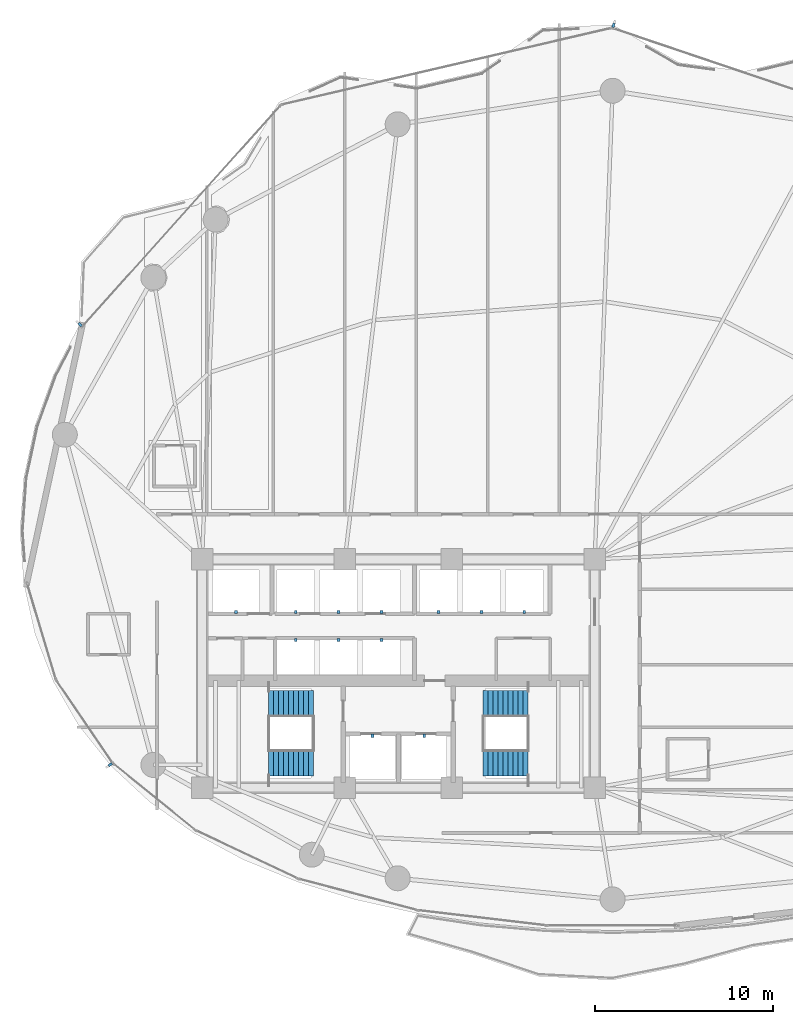
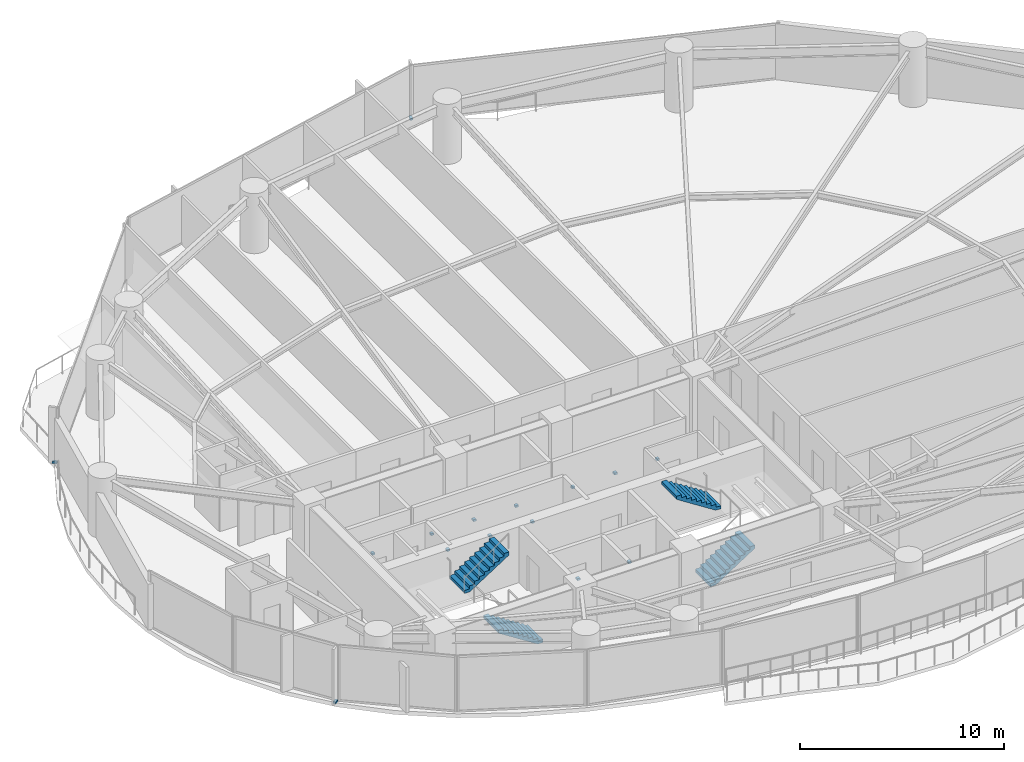
# One storey, part 28 of 31: 15 discrete accessories, 4 stair flights, 2 elements without a shape of their own.
"""IFC4 building model written with IfcOpenShell, lengths in metres."""

import ifcopenshell
import ifcopenshell.guid

model = None  # the IFC model being written
_history = None  # IfcOwnerHistory: only IFC2X3 demands one
_inside = {}  # id of a spatial element -> (the spatial element, [elements in it])
_under = {}  # id of a project, library or spatial element -> (it, [spatial elements below it])
_declared = {}  # id of a project -> (the project, [libraries it declares])
_typed = {}  # id of a type object -> (the type object, [elements of that type])
_made_of = {}  # id of a material, layer set ... -> (it, [elements and type objects made of it])


def new_model(schema):
    """Start an empty IFC model of exactly this schema.

    Asked for "IFC4X3", IfcOpenShell would pick the latest addendum, in which some entities
    have other attributes; the version numbers below select the first issue.
    IFC2X3 requires an IfcOwnerHistory on every rooted entity: one is made here for all.
    """
    global model, _history
    if schema == "IFC4X3":
        model = ifcopenshell.file(schema_version=(4, 3, 0, 0))
    else:
        model = ifcopenshell.file(schema=schema)
    _inside.clear()
    _under.clear()
    _declared.clear()
    _typed.clear()
    _made_of.clear()
    _history = None
    if model.schema == "IFC2X3":
        org = make("IfcOrganization", Name="unknown")
        user = make(
            "IfcPersonAndOrganization",
            ThePerson=make("IfcPerson", FamilyName="unknown"),
            TheOrganization=org,
        )
        app = make(
            "IfcApplication",
            ApplicationDeveloper=org,
            Version="unknown",
            ApplicationFullName="unknown",
            ApplicationIdentifier="unknown",
        )
        _history = make(
            "IfcOwnerHistory",
            OwningUser=user,
            OwningApplication=app,
            ChangeAction="ADDED",
            CreationDate=0,
        )
    return model


def make(cls, **values):
    """One entity of the class cls with the attributes given. An attribute that is None is left unset."""
    return model.create_entity(
        cls, **{name: value for name, value in values.items() if value is not None}
    )


def rooted(cls, **values):
    """An entity with a GlobalId (a new one), such as an element, a storey or a relation."""
    return make(cls, GlobalId=ifcopenshell.guid.new(), OwnerHistory=_history, **values)


def si_unit(unit_type, name, prefix=None):
    """IfcSIUnit, for example si_unit("LENGTHUNIT", "METRE", prefix="MILLI")."""
    return make("IfcSIUnit", UnitType=unit_type, Prefix=prefix, Name=name)


def assignment(units):
    """IfcUnitAssignment: the units of a project."""
    return None if units is None else make("IfcUnitAssignment", Units=units)


def point(xyz):
    """IfcCartesianPoint."""
    return None if xyz is None else make("IfcCartesianPoint", Coordinates=xyz)


def direction(xyz):
    """IfcDirection."""
    return None if xyz is None else make("IfcDirection", DirectionRatios=xyz)


def frame(location, z_axis=None, x_axis=None):
    """IfcAxis2Placement3D, a coordinate frame: its origin and axes. An axis left out is left unset."""
    return make(
        "IfcAxis2Placement3D",
        Location=point(location),
        Axis=direction(z_axis),
        RefDirection=direction(x_axis),
    )


def frame_2d(location, x_axis=None):
    """IfcAxis2Placement2D, a coordinate frame in the plane: its origin and x axis."""
    return make(
        "IfcAxis2Placement2D", Location=point(location), RefDirection=direction(x_axis)
    )


def origin():
    """The frame at (0, 0, 0) with its axes left unset."""
    return frame((0.0, 0.0, 0.0))


def origin_2d():
    """The frame at (0, 0) in the plane with its x axis left unset."""
    return frame_2d((0.0, 0.0))


def place(relative_to, where):
    """IfcLocalPlacement: puts the frame where relative to a parent placement (None: the world)."""
    return make(
        "IfcLocalPlacement", PlacementRelTo=relative_to, RelativePlacement=where
    )


def context(
    kind, dimensions, precision=None, world=None, true_north=None, identifier=None
):
    """IfcGeometricRepresentationContext, for example the 3D "Model" context."""
    return make(
        "IfcGeometricRepresentationContext",
        ContextIdentifier=identifier,
        ContextType=kind,
        CoordinateSpaceDimension=dimensions,
        Precision=precision,
        WorldCoordinateSystem=world,
        TrueNorth=true_north,
    )


def subcontext(parent, identifier, kind, view, scale=None):
    """IfcGeometricRepresentationSubContext, for example "Body" below "Model"."""
    return make(
        "IfcGeometricRepresentationSubContext",
        ContextIdentifier=identifier,
        ContextType=kind,
        ParentContext=parent,
        TargetScale=scale,
        TargetView=view,
    )


def project(units=None, contexts=None):
    """IfcProject with its units and contexts."""
    return rooted(
        "IfcProject",
        Name="project",
        RepresentationContexts=contexts,
        UnitsInContext=assignment(units),
    )


def spatial(cls, under=None, at=None, **own):
    """A site, building, storey or space (cls), placed at a placement, below another one or the project."""
    s = rooted(cls, ObjectPlacement=at, **own)
    if under is not None:
        _under.setdefault(under.id(), (under, []))[1].append(s)
    return s


def polyline(points):
    """IfcPolyline through the points."""
    return make("IfcPolyline", Points=[point(p) for p in points])


def profile(cls, at=None, kind="AREA", **sizes):
    """A parametric profile (cls). Its sizes go by their IFC names, for example OverallWidth=200.0."""
    return make(cls, ProfileType=kind, Position=at, **sizes)


def rectangle(**sizes):
    """IfcRectangleProfileDef."""
    return profile("IfcRectangleProfileDef", **sizes)


def outline(outer, holes=None, kind="AREA"):
    """IfcArbitraryClosedProfileDef: a profile drawn as a closed curve; with holes, ...WithVoids."""
    if holes is None:
        return make("IfcArbitraryClosedProfileDef", ProfileType=kind, OuterCurve=outer)
    return make(
        "IfcArbitraryProfileDefWithVoids",
        ProfileType=kind,
        OuterCurve=outer,
        InnerCurves=holes,
    )


def extrude(swept, where, along, depth):
    """IfcExtrudedAreaSolid: the profile swept, set in the frame where, extruded along a direction by depth."""
    return make(
        "IfcExtrudedAreaSolid",
        SweptArea=swept,
        Position=where,
        ExtrudedDirection=direction(along),
        Depth=depth,
    )


def shape(context_of_items, identifier, shape_type, items):
    """IfcShapeRepresentation: the items that make up one representation, for example the "Body"."""
    return make(
        "IfcShapeRepresentation",
        ContextOfItems=context_of_items,
        RepresentationIdentifier=identifier,
        RepresentationType=shape_type,
        Items=items,
    )


def material(Name=None, Category=None):
    """IfcMaterial."""
    return make("IfcMaterial", Name=Name, Category=Category)


def layer(
    of_material, thickness, ventilated=None, Name=None, Category=None, Priority=None
):
    """IfcMaterialLayer: one layer of a wall or slab, of a material (None: an air gap)."""
    return make(
        "IfcMaterialLayer",
        Material=of_material,
        LayerThickness=thickness,
        IsVentilated=ventilated,
        Name=Name,
        Category=Category,
        Priority=Priority,
    )


def layer_set(layers, Name=None):
    """IfcMaterialLayerSet."""
    return make("IfcMaterialLayerSet", MaterialLayers=layers, LayerSetName=Name)


def made_of(thing, what):
    """Note that an element or type object is made of a material, layer set ...; save() writes the relation."""
    if what is not None:
        _made_of.setdefault(what.id(), (what, []))[1].append(thing)
    return thing


def type_object(cls, material=None, **own):
    """A type object (cls), such as IfcWallType, which elements share."""
    return made_of(rooted(cls, **own), material)


def element(
    cls,
    number,
    at=None,
    inside=None,
    cuts=None,
    type_object=None,
    material=None,
    context=None,
    identifier="Body",
    shape_type=None,
    held_by="IfcProductDefinitionShape",
    body=None,
    shapes=None,
    **own,
):
    """One element of the class cls, such as IfcWall. Its Tag is "e" and its number.

    at: its placement. inside: the storey or other place that contains it. cuts: it is an
    opening in that element (IfcRelVoidsElement). A single representation is given by context,
    identifier, shape_type and body (its items); several are given by shapes. held_by: the class
    of the entity that holds the representations. save() writes the other relations.
    """
    e = rooted(cls, Tag="e%d" % number, ObjectPlacement=at, **own)
    if body is not None:
        shapes = [shape(context, identifier, shape_type, body)]
    if shapes is not None:
        e.Representation = make(held_by, Representations=shapes)
    if inside is not None:
        _inside.setdefault(inside.id(), (inside, []))[1].append(e)
    if cuts is not None:
        rooted(
            "IfcRelVoidsElement", RelatingBuildingElement=cuts, RelatedOpeningElement=e
        )
    if type_object is not None:
        _typed.setdefault(type_object.id(), (type_object, []))[1].append(e)
    return made_of(e, material)


def aggregate(whole, parts):
    """IfcRelAggregates: a whole, such as a stair, and the parts it consists of."""
    return rooted("IfcRelAggregates", RelatingObject=whole, RelatedObjects=parts)


def save(model, path):
    """Write the relations noted so far, then the file.

    IfcRelAggregates (storeys below a building ...), IfcRelContainedInSpatialStructure (elements
    in a storey), IfcRelDefinesByType, IfcRelAssociatesMaterial and IfcRelDeclares: one each for
    every whole, place, type object, material and project.
    """
    for whole, parts in _under.values():
        aggregate(whole, parts)
    for where, things in _inside.values():
        rooted(
            "IfcRelContainedInSpatialStructure",
            RelatedElements=things,
            RelatingStructure=where,
        )
    for kind, things in _typed.values():
        rooted("IfcRelDefinesByType", RelatedObjects=things, RelatingType=kind)
    for what, things in _made_of.values():
        rooted("IfcRelAssociatesMaterial", RelatedObjects=things, RelatingMaterial=what)
    for by, libraries in _declared.values():
        rooted("IfcRelDeclares", RelatingContext=by, RelatedDefinitions=libraries)
    model.write(path)


model = new_model("IFC4")

# Units and contexts
model_context = context("Model", 3, precision=1e-05, world=origin(), true_north=direction((0.0, 1.0)))
body_context = subcontext(model_context, "Body", "Model", "MODEL_VIEW")
ifc_project = project(units=[si_unit("LENGTHUNIT", "METRE"), si_unit("AREAUNIT", "SQUARE_METRE"), si_unit("VOLUMEUNIT", "CUBIC_METRE"), si_unit("PLANEANGLEUNIT", "RADIAN"), si_unit("MASSUNIT", "GRAM", prefix="KILO")], contexts=[model_context])

# Site, building, storey
site_placement = place(None, origin())
site = spatial("IfcSite", under=ifc_project, at=site_placement, CompositionType="ELEMENT")
building_placement = place(site_placement, origin())
building = spatial("IfcBuilding", under=site, at=building_placement, Name="Kazevale Care Tower and Concert Hall", CompositionType="ELEMENT")
storey_placement = place(building_placement, frame((0.0, 0.0, 81.60009765625)))
storey = spatial("IfcBuildingStorey", under=building, at=storey_placement, Name="L21", CompositionType="ELEMENT", Elevation=81.60009765625)

# Stair, stair flights
ifc_material_1 = material(Name="Concrete C40", Category="concrete")
stair_type = type_object("IfcStairType", Name="Exit Stair Assembly ST1-Z1", PredefinedType="HALF_TURN_STAIR", material=ifc_material_1)
stair_1_placement = place(storey_placement, origin())
stair_1 = element("IfcStair", 1, at=stair_1_placement, inside=storey, type_object=stair_type, Name="stair:L21:ST1", PredefinedType="HALF_TURN_STAIR")
ifc_layer = layer(ifc_material_1, 0.159912109375)
ifc_layer_set = layer_set([ifc_layer], Name="Concrete C40")
stair_flight_type = type_object("IfcStairFlightType", Name="Exit Stair Flight ST1-Z1", PredefinedType="STRAIGHT", material=ifc_layer_set)
stair_flight_1_placement = place(storey_placement, frame((28.25, 24.989990234375, 0.0), z_axis=(0.0, 0.0, 1.0), x_axis=(-1.0, 0.0, 0.0)))
stair_flight_1 = element("IfcStairFlight", 2, at=stair_flight_1_placement, type_object=stair_flight_type, Name="ST1-Z1 flight 1", NumberOfRisers=10, NumberOfTreads=9, PredefinedType="STRAIGHT", RiserHeight=0.18, TreadLength=0.28, context=body_context, shape_type="SweptSolid", body=[
    extrude(outline(polyline([(0.0, 0.0), (0.0, 0.179931640625), (0.280029296875, 0.179931640625), (0.280029296875, 0.360107421875), (0.56005859375, 0.360107421875), (0.56005859375, 0.5400390625), (0.840087890625, 0.5400390625), (0.840087890625, 0.719970703125), (1.1201171875, 0.719970703125), (1.1201171875, 0.89990234375), (1.39990234375, 0.89990234375), (1.39990234375, 1.080078125), (1.679931640625, 1.080078125), (1.679931640625, 1.260009765625), (1.9599609375, 1.260009765625), (1.9599609375, 1.43994140625), (2.239990234375, 1.43994140625), (2.239990234375, 1.6201171875), (2.52001953125, 1.6201171875), (2.52001953125, 1.800048828125), (2.52001953125, 1.429931640625), (0.295654296875, 0.0), (0.0, 0.0)])), frame((0.0, 0.739990234375, 0.0), z_axis=(0.0, -1.0, 0.0), x_axis=(1.0, 0.0, 0.0)), (0.0, 0.0, 1.0), 1.47998046875),
])
stair_flight_2_placement = place(storey_placement, frame((25.72998046875, 28.31005859375, 1.7998046875), z_axis=(0.0, 0.0, 1.0), x_axis=(1.0, 0.0, 0.0)))
stair_flight_2 = element("IfcStairFlight", 3, at=stair_flight_2_placement, type_object=stair_flight_type, Name="ST1-Z1 flight 2", NumberOfRisers=10, NumberOfTreads=9, PredefinedType="STRAIGHT", RiserHeight=0.18, TreadLength=0.28, context=body_context, shape_type="SweptSolid", body=[
    extrude(outline(polyline([(0.0, 0.0), (0.0, 0.179931640625), (0.280029296875, 0.179931640625), (0.280029296875, 0.360107421875), (0.56005859375, 0.360107421875), (0.56005859375, 0.5400390625), (0.840087890625, 0.5400390625), (0.840087890625, 0.719970703125), (1.1201171875, 0.719970703125), (1.1201171875, 0.89990234375), (1.39990234375, 0.89990234375), (1.39990234375, 1.080078125), (1.679931640625, 1.080078125), (1.679931640625, 1.260009765625), (1.9599609375, 1.260009765625), (1.9599609375, 1.43994140625), (2.239990234375, 1.43994140625), (2.239990234375, 1.6201171875), (2.52001953125, 1.6201171875), (2.52001953125, 1.800048828125), (2.52001953125, 1.429931640625), (0.295654296875, 0.0), (0.0, 0.0)])), frame((0.0, 0.739990234375, 0.0), z_axis=(0.0, -1.0, 0.0), x_axis=(1.0, 0.0, 0.0)), (0.0, 0.0, 1.0), 1.47998046875),
])
aggregate(stair_1, [stair_flight_1, stair_flight_2])

stair_2_placement = place(storey_placement, origin())
stair_2 = element("IfcStair", 4, at=stair_2_placement, inside=storey, type_object=stair_type, Name="stair:L21:ST2", PredefinedType="HALF_TURN_STAIR")
stair_flight_3_placement = place(storey_placement, frame((37.75, 24.989990234375, 0.0), z_axis=(0.0, 0.0, 1.0), x_axis=(1.0, 0.0, 0.0)))
stair_flight_3 = element("IfcStairFlight", 5, at=stair_flight_3_placement, type_object=stair_flight_type, Name="ST1-Z1 flight 1", NumberOfRisers=10, NumberOfTreads=9, PredefinedType="STRAIGHT", RiserHeight=0.18, TreadLength=0.28, context=body_context, shape_type="SweptSolid", body=[
    extrude(outline(polyline([(0.0, 0.0), (0.0, 0.179931640625), (0.280029296875, 0.179931640625), (0.280029296875, 0.360107421875), (0.56005859375, 0.360107421875), (0.56005859375, 0.5400390625), (0.840087890625, 0.5400390625), (0.840087890625, 0.719970703125), (1.1201171875, 0.719970703125), (1.1201171875, 0.89990234375), (1.39990234375, 0.89990234375), (1.39990234375, 1.080078125), (1.679931640625, 1.080078125), (1.679931640625, 1.260009765625), (1.9599609375, 1.260009765625), (1.9599609375, 1.43994140625), (2.239990234375, 1.43994140625), (2.239990234375, 1.6201171875), (2.52001953125, 1.6201171875), (2.52001953125, 1.800048828125), (2.52001953125, 1.429931640625), (0.295654296875, 0.0), (0.0, 0.0)])), frame((0.0, 0.739990234375, 0.0), z_axis=(0.0, -1.0, 0.0), x_axis=(1.0, 0.0, 0.0)), (0.0, 0.0, 1.0), 1.47998046875),
])
stair_flight_4_placement = place(storey_placement, frame((40.27001953125, 28.31005859375, 1.7998046875), z_axis=(0.0, 0.0, 1.0), x_axis=(-1.0, 0.0, 0.0)))
stair_flight_4 = element("IfcStairFlight", 6, at=stair_flight_4_placement, type_object=stair_flight_type, Name="ST1-Z1 flight 2", NumberOfRisers=10, NumberOfTreads=9, PredefinedType="STRAIGHT", RiserHeight=0.18, TreadLength=0.28, context=body_context, shape_type="SweptSolid", body=[
    extrude(outline(polyline([(0.0, 0.0), (0.0, 0.179931640625), (0.280029296875, 0.179931640625), (0.280029296875, 0.360107421875), (0.56005859375, 0.360107421875), (0.56005859375, 0.5400390625), (0.840087890625, 0.5400390625), (0.840087890625, 0.719970703125), (1.1201171875, 0.719970703125), (1.1201171875, 0.89990234375), (1.39990234375, 0.89990234375), (1.39990234375, 1.080078125), (1.679931640625, 1.080078125), (1.679931640625, 1.260009765625), (1.9599609375, 1.260009765625), (1.9599609375, 1.43994140625), (2.239990234375, 1.43994140625), (2.239990234375, 1.6201171875), (2.52001953125, 1.6201171875), (2.52001953125, 1.800048828125), (2.52001953125, 1.429931640625), (0.295654296875, 0.0), (0.0, 0.0)])), frame((0.0, 0.739990234375, 0.0), z_axis=(0.0, -1.0, 0.0), x_axis=(1.0, 0.0, 0.0)), (0.0, 0.0, 1.0), 1.47998046875),
])
aggregate(stair_2, [stair_flight_3, stair_flight_4])

# Discrete accessories
ifc_material_2 = material(Name="Stainless Steel 316", Category="steel")
discrete_accessory_type_1 = type_object("IfcDiscreteAccessoryType", Name="Facade Fin Stainless Anchor Bracket BRK-1", PredefinedType="BRACKET", material=ifc_material_2)
for number, where, z_axis, x_axis, name in (
    (7, (16.85791015625, 24.894287109375, -0.000244140625), (0.0, 0.0, 1.0), (-0.825999928064, -0.563670221706, 0.0), "cw:L21:f11:brk"),
    (8, (15.166015625, 49.55029296875, -0.000244140625), (0.0, 0.0, 1.0), (-0.744777599887, 0.667312765281, 0.0), "cw:L21:f14:brk"),
    (9, (45.04833984375, 66.316162109375, -0.000244140625), (0.0, 0.0, 1.0), (0.320612990586, 0.947210277746, 0.0), "cw:L21:f16:brk"),
):
    element("IfcDiscreteAccessory", number, at=place(storey_placement, frame(where, z_axis=z_axis, x_axis=x_axis)), inside=storey, type_object=discrete_accessory_type_1, Name=name, PredefinedType="BRACKET", context=body_context, shape_type="SweptSolid", body=[
        extrude(rectangle(XDim=0.239990234375, YDim=0.139892578125, at=origin_2d()), origin(), (0.0, 0.0, 1.0), 0.1201171875),
    ])
discrete_accessory_type_2 = type_object("IfcDiscreteAccessoryType", Name="Hoistway Guide-Rail Wall Bracket HBRK-1", PredefinedType="BRACKET", material=ifc_material_2)
for number, where, z_axis, x_axis, name in (
    (10, (31.550048828125, 26.52001953125, 1.23974609375), (0.0, 0.0, 1.0), (1.0, 0.0, 0.0), "hbrk:FFL-1:L21"),
    (11, (34.449951171875, 26.52001953125, 1.23974609375), (0.0, 0.0, 1.0), (1.0, 0.0, 0.0), "hbrk:FFL-2:L21"),
    (12, (23.89990234375, 33.449951171875, 1.23974609375), (0.0, 0.0, 1.0), (1.0, 0.0, 0.0), "hbrk:SVL-1:L21"),
    (13, (27.25, 33.449951171875, 1.23974609375), (0.0, 0.0, 1.0), (1.0, 0.0, 0.0), "hbrk:PL-1:L21"),
    (14, (29.64990234375, 33.449951171875, 1.23974609375), (0.0, 0.0, 1.0), (1.0, 0.0, 0.0), "hbrk:PL-2:L21"),
    (15, (32.050048828125, 33.449951171875, 1.23974609375), (0.0, 0.0, 1.0), (1.0, 0.0, 0.0), "hbrk:PL-3:L21"),
    (16, (35.25, 33.449951171875, 1.23974609375), (0.0, 0.0, 1.0), (1.0, 0.0, 0.0), "hbrk:PM-1:L21"),
    (17, (37.64990234375, 33.449951171875, 1.23974609375), (0.0, 0.0, 1.0), (1.0, 0.0, 0.0), "hbrk:PM-2:L21"),
    (18, (40.050048828125, 33.449951171875, 1.23974609375), (0.0, 0.0, 1.0), (1.0, 0.0, 0.0), "hbrk:PM-3:L21"),
    (19, (27.25, 31.8798828125, 1.23974609375), (0.0, 0.0, 1.0), (1.0, 0.0, 0.0), "hbrk:PH-1:L21"),
    (20, (29.64990234375, 31.8798828125, 1.23974609375), (0.0, 0.0, 1.0), (1.0, 0.0, 0.0), "hbrk:PH-2:L21"),
    (21, (32.050048828125, 31.8798828125, 1.23974609375), (0.0, 0.0, 1.0), (1.0, 0.0, 0.0), "hbrk:PH-3:L21"),
):
    element("IfcDiscreteAccessory", number, at=place(storey_placement, frame(where, z_axis=z_axis, x_axis=x_axis)), inside=storey, type_object=discrete_accessory_type_2, Name=name, PredefinedType="BRACKET", context=body_context, shape_type="SweptSolid", body=[
        extrude(rectangle(XDim=0.159912109375, YDim=0.179931640625, at=origin_2d()), origin(), (0.0, 0.0, 1.0), 0.1201171875),
    ])

save(model, "model.ifc")
